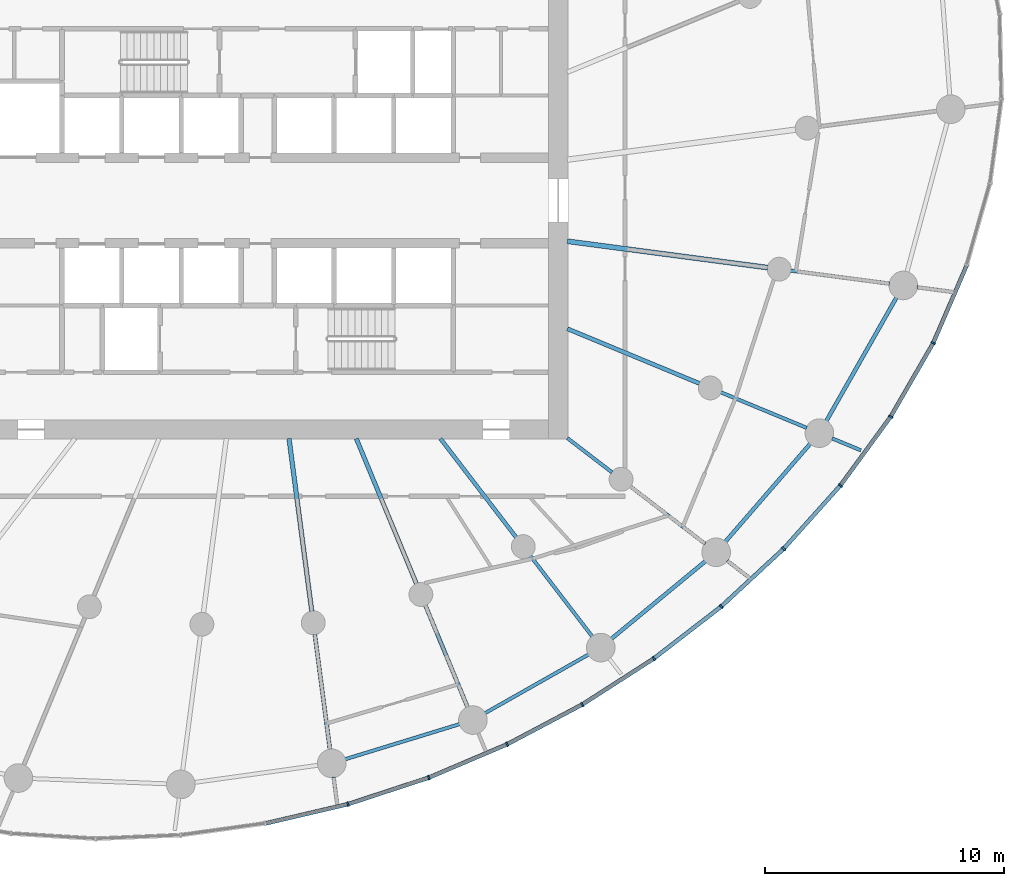
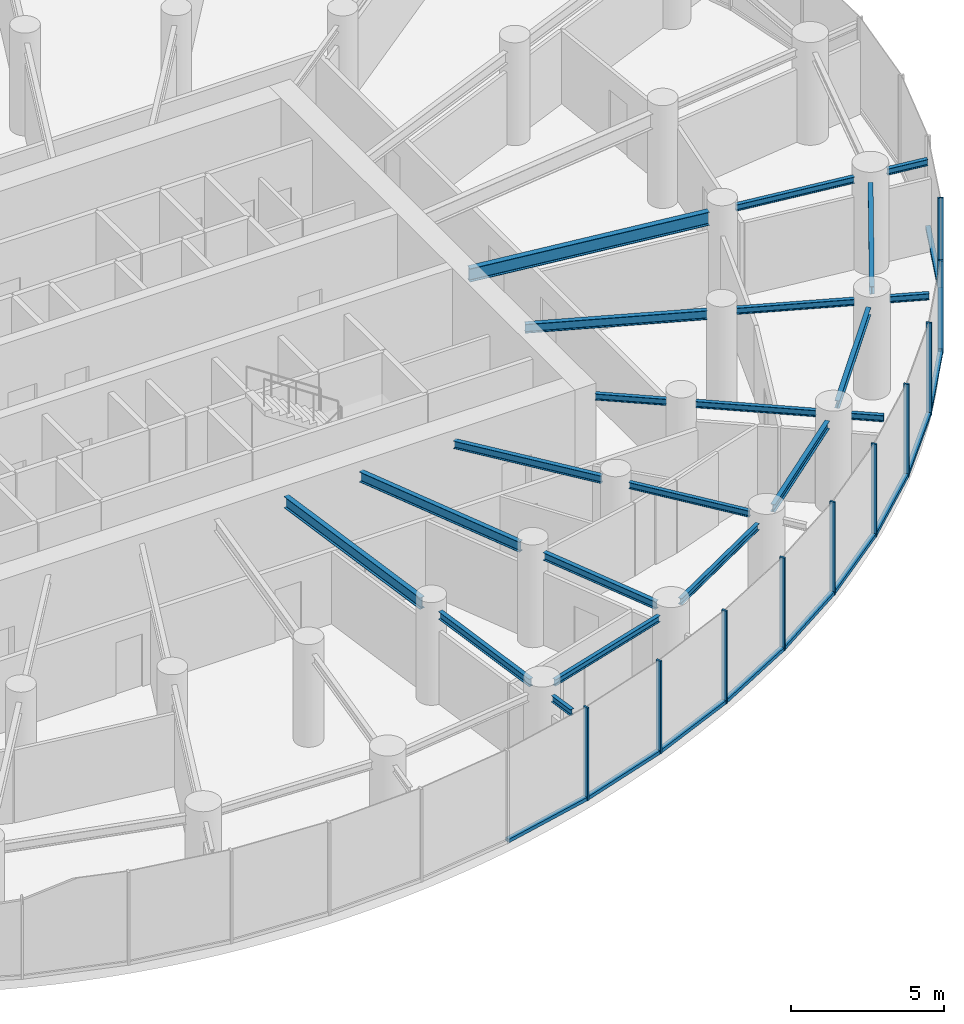
# One storey, part 4 of 17: 21 beams, 21 members, 3 elements without a shape of their own.
"""IFC4 building model written with IfcOpenShell, lengths in metres."""

from ifc_helpers import new_model, si_unit, direction, frame, origin, origin_2d, place, context, subcontext, project, spatial, rectangle, i_section, extrude, source, transform, mapped, material, layer, layer_set, material_profile, profile_set, type_object, element, aggregate, save


model = new_model("IFC4")

# Units and contexts
model_context = context("Model", 3, precision=1e-05, world=origin(), true_north=direction((0.0, 1.0)))
body_context = subcontext(model_context, "Body", "Model", "MODEL_VIEW")
ifc_project = project(units=[si_unit("LENGTHUNIT", "METRE"), si_unit("AREAUNIT", "SQUARE_METRE"), si_unit("VOLUMEUNIT", "CUBIC_METRE"), si_unit("PLANEANGLEUNIT", "RADIAN"), si_unit("MASSUNIT", "GRAM", prefix="KILO")], contexts=[model_context])

# Site, building, storey
site_placement = place(None, origin())
site = spatial("IfcSite", under=ifc_project, at=site_placement, CompositionType="ELEMENT")
building_placement = place(site_placement, origin())
building = spatial("IfcBuilding", under=site, at=building_placement, Name="Spindrift Exchange Tower", CompositionType="ELEMENT")
storey_placement = place(building_placement, frame((0.0, 0.0, 104.39990234375)))
storey = spatial("IfcBuildingStorey", under=building, at=storey_placement, Name="L24", CompositionType="ELEMENT", Elevation=104.39990234375)

# Beams
ifc_material_1 = material(Name="Steel Grade 300", Category="steel")
ifc_material_profile_1 = material_profile(ifc_material_1, i_section(OverallWidth=0.18994140625, OverallDepth=0.45703125, WebThickness=0.009033203125, FlangeThickness=0.014404296875, FilletRadius=0.013916015625, at=origin_2d()), Name="460UB74.6")
ifc_profile_set_1 = profile_set([ifc_material_profile_1], Name="Steel Grade 300")
beam_type_1 = type_object("IfcBeamType", Name="Floor Beam 460UB74.6 Steel Grade 300", PredefinedType="BEAM", material=ifc_profile_set_1)
shared_shape_1 = source(origin(), body_context, "Body", "SweptSolid", [
    extrude(i_section(OverallWidth=0.18994140625, OverallDepth=0.45703125, WebThickness=0.009033203125, FlangeThickness=0.014404296875, FilletRadius=0.013916015625, at=origin_2d()), origin(), (0.0, 0.0, 1.0), 7.3095703125),
])
beam_1_placement = place(storey_placement, frame((53.31396484375, 38.019775390625, 3.4716796875), z_axis=(0.130527087244, -0.991444743541, 0.0), x_axis=(0.991444743541, 0.130527087244, 0.0)))
element("IfcBeam", 1, at=beam_1_placement, inside=storey, type_object=beam_type_1, Name="L24 radial beam R19A", PredefinedType="BEAM", context=body_context, shape_type="MappedRepresentation", body=[
    mapped(shared_shape_1, transform((0.0, 0.0, 0.0), scale=1.0)),
])
ifc_material_profile_2 = material_profile(ifc_material_1, i_section(OverallWidth=0.177978515625, OverallDepth=0.406005859375, WebThickness=0.0078125, FlangeThickness=0.0126953125, FilletRadius=0.013916015625, at=origin_2d()), Name="410UB59.7")
ifc_profile_set_2 = profile_set([ifc_material_profile_2], Name="Steel Grade 300")
beam_type_2 = type_object("IfcBeamType", Name="Floor Beam 410UB59.7 Steel Grade 300", PredefinedType="BEAM", material=ifc_profile_set_2)
shared_shape_2 = source(origin(), body_context, "Body", "SweptSolid", [
    extrude(i_section(OverallWidth=0.177978515625, OverallDepth=0.406005859375, WebThickness=0.0078125, FlangeThickness=0.0126953125, FilletRadius=0.013916015625, at=origin_2d()), origin(), (0.0, 0.0, 1.0), 6.594482421875),
])
beam_2_placement = place(storey_placement, frame((56.134521484375, 38.0185546875, 3.4970703125), z_axis=(0.382692929746, -0.92387559851, 0.0), x_axis=(0.92387559851, 0.382692929746, 0.0)))
element("IfcBeam", 2, at=beam_2_placement, inside=storey, type_object=beam_type_2, Name="L24 radial beam R20A", PredefinedType="BEAM", context=body_context, shape_type="MappedRepresentation", body=[
    mapped(shared_shape_2, transform((0.0, 0.0, 0.0), scale=1.0)),
])
ifc_material_profile_3 = material_profile(ifc_material_1, i_section(OverallWidth=0.1650390625, OverallDepth=0.303955078125, WebThickness=0.006103515625, FlangeThickness=0.01025390625, FilletRadius=0.011474609375, at=origin_2d()), Name="310UB40.4")
ifc_profile_set_3 = profile_set([ifc_material_profile_3], Name="Steel Grade 300")
beam_type_3 = type_object("IfcBeamType", Name="Floor Beam 310UB40.4 Steel Grade 300", PredefinedType="BEAM", material=ifc_profile_set_3)
shared_shape_3 = source(origin(), body_context, "Body", "SweptSolid", [
    extrude(i_section(OverallWidth=0.1650390625, OverallDepth=0.303955078125, WebThickness=0.006103515625, FlangeThickness=0.01025390625, FilletRadius=0.011474609375, at=origin_2d()), origin(), (0.0, 0.0, 1.0), 5.224609375),
])
beam_3_placement = place(storey_placement, frame((59.6611328125, 38.015869140625, 3.548095703125), z_axis=(0.608741499316, -0.793368632485, 0.0), x_axis=(0.793368632485, 0.608741499316, 0.0)))
element("IfcBeam", 3, at=beam_3_placement, inside=storey, type_object=beam_type_3, Name="L24 radial beam R21A", PredefinedType="BEAM", context=body_context, shape_type="MappedRepresentation", body=[
    mapped(shared_shape_3, transform((0.0, 0.0, 0.0), scale=1.0)),
])
ifc_material_profile_4 = material_profile(ifc_material_1, i_section(OverallWidth=0.14599609375, OverallDepth=0.251953125, WebThickness=0.006103515625, FlangeThickness=0.008544921875, FilletRadius=0.011962890625, at=origin_2d()), Name="250UB31.4")
ifc_profile_set_4 = profile_set([ifc_material_profile_4], Name="Steel Grade 300")
beam_type_4 = type_object("IfcBeamType", Name="Floor Beam 250UB31.4 Steel Grade 300", PredefinedType="BEAM", material=ifc_profile_set_4)
shared_shape_4 = source(origin(), body_context, "Body", "SweptSolid", [
    extrude(i_section(OverallWidth=0.14599609375, OverallDepth=0.251953125, WebThickness=0.006103515625, FlangeThickness=0.008544921875, FilletRadius=0.011962890625, at=origin_2d()), origin(), (0.0, 0.0, 1.0), 2.353759765625),
])
beam_4_placement = place(storey_placement, frame((64.984130859375, 38.036865234375, 3.57421875), z_axis=(0.793367573265, -0.608742879787, 0.0), x_axis=(0.608742879787, 0.793367573265, 0.0)))
element("IfcBeam", 4, at=beam_4_placement, inside=storey, type_object=beam_type_4, Name="L24 radial beam R22A", PredefinedType="BEAM", context=body_context, shape_type="MappedRepresentation", body=[
    mapped(shared_shape_4, transform((0.0, 0.0, 0.0), scale=1.0)),
])
ifc_material_profile_5 = material_profile(ifc_material_1, i_section(OverallWidth=0.172119140625, OverallDepth=0.35888671875, WebThickness=0.008056640625, FlangeThickness=0.012939453125, FilletRadius=0.013916015625, at=origin_2d()), Name="360UB56.7")
ifc_profile_set_5 = profile_set([ifc_material_profile_5], Name="Steel Grade 300")
beam_type_5 = type_object("IfcBeamType", Name="Floor Beam 360UB56.7 Steel Grade 300", PredefinedType="BEAM", material=ifc_profile_set_5)
shared_shape_5 = source(origin(), body_context, "Body", "SweptSolid", [
    extrude(i_section(OverallWidth=0.172119140625, OverallDepth=0.35888671875, WebThickness=0.008056640625, FlangeThickness=0.012939453125, FilletRadius=0.013916015625, at=origin_2d()), origin(), (0.0, 0.0, 1.0), 6.004638671875),
])
beam_5_placement = place(storey_placement, frame((64.9814453125, 42.622802734375, 3.5205078125), z_axis=(0.923882044911, -0.38267736684, 0.0), x_axis=(0.38267736684, 0.923882044911, 0.0)))
element("IfcBeam", 5, at=beam_5_placement, inside=storey, type_object=beam_type_5, Name="L24 radial beam R23A", PredefinedType="BEAM", context=body_context, shape_type="MappedRepresentation", body=[
    mapped(shared_shape_5, transform((0.0, 0.0, 0.0), scale=1.0)),
])
ifc_material_profile_6 = material_profile(ifc_material_1, i_section(OverallWidth=0.208984375, OverallDepth=0.532958984375, WebThickness=0.01025390625, FlangeThickness=0.015625, FilletRadius=0.013916015625, at=origin_2d()), Name="530UB92.4")
ifc_profile_set_6 = profile_set([ifc_material_profile_6], Name="Steel Grade 300")
beam_type_6 = type_object("IfcBeamType", Name="Floor Beam 530UB92.4 Steel Grade 300", PredefinedType="BEAM", material=ifc_profile_set_6)
shared_shape_6 = source(origin(), body_context, "Body", "SweptSolid", [
    extrude(i_section(OverallWidth=0.208984375, OverallDepth=0.532958984375, WebThickness=0.01025390625, FlangeThickness=0.015625, FilletRadius=0.013916015625, at=origin_2d()), origin(), (0.0, 0.0, 1.0), 8.4794921875),
])
beam_6_placement = place(storey_placement, frame((64.980224609375, 46.291015625, 3.43359375), z_axis=(0.991446551951, -0.13051335037, 0.0), x_axis=(0.13051335037, 0.991446551951, 0.0)))
element("IfcBeam", 6, at=beam_6_placement, inside=storey, type_object=beam_type_6, Name="L24 radial beam R24A", PredefinedType="BEAM", context=body_context, shape_type="MappedRepresentation", body=[
    mapped(shared_shape_6, transform((0.0, 0.0, 0.0), scale=1.0)),
])
shared_shape_7 = source(origin(), body_context, "Body", "SweptSolid", [
    extrude(i_section(OverallWidth=0.1650390625, OverallDepth=0.303955078125, WebThickness=0.006103515625, FlangeThickness=0.01025390625, FilletRadius=0.011474609375, at=origin_2d()), origin(), (0.0, 0.0, 1.0), 4.883056640625),
])
beam_7_placement = place(storey_placement, frame((54.393310546875, 29.82080078125, 3.548095703125), z_axis=(0.130542457964, -0.991442719812, 0.0), x_axis=(0.991442719812, 0.130542457964, 0.0)))
element("IfcBeam", 7, at=beam_7_placement, inside=storey, type_object=beam_type_3, Name="L24 radial beam R19B", PredefinedType="BEAM", context=body_context, shape_type="MappedRepresentation", body=[
    mapped(shared_shape_7, transform((0.0, 0.0, 0.0), scale=1.0)),
])
shared_shape_8 = source(origin(), body_context, "Body", "SweptSolid", [
    extrude(i_section(OverallWidth=0.1650390625, OverallDepth=0.303955078125, WebThickness=0.006103515625, FlangeThickness=0.01025390625, FilletRadius=0.011474609375, at=origin_2d()), origin(), (0.0, 0.0, 1.0), 4.63671875),
])
beam_8_placement = place(storey_placement, frame((59.025390625, 31.0390625, 3.548095703125), z_axis=(0.382692818086, -0.923875644763, 0.0), x_axis=(0.923875644763, 0.382692818086, 0.0)))
element("IfcBeam", 8, at=beam_8_placement, inside=storey, type_object=beam_type_3, Name="L24 radial beam R20B", PredefinedType="BEAM", context=body_context, shape_type="MappedRepresentation", body=[
    mapped(shared_shape_8, transform((0.0, 0.0, 0.0), scale=1.0)),
])
shared_shape_9 = source(origin(), body_context, "Body", "SweptSolid", [
    extrude(i_section(OverallWidth=0.14599609375, OverallDepth=0.251953125, WebThickness=0.006103515625, FlangeThickness=0.008544921875, FilletRadius=0.011962890625, at=origin_2d()), origin(), (0.0, 0.0, 1.0), 4.27587890625),
])
beam_9_placement = place(storey_placement, frame((63.426025390625, 33.109375, 3.57421875), z_axis=(0.608725184746, -0.793381150177, 0.0), x_axis=(0.793381150177, 0.608725184746, 0.0)))
element("IfcBeam", 9, at=beam_9_placement, inside=storey, type_object=beam_type_4, Name="L24 radial beam R21B", PredefinedType="BEAM", context=body_context, shape_type="MappedRepresentation", body=[
    mapped(shared_shape_9, transform((0.0, 0.0, 0.0), scale=1.0)),
])
shared_shape_10 = source(origin(), body_context, "Body", "SweptSolid", [
    extrude(i_section(OverallWidth=0.14599609375, OverallDepth=0.251953125, WebThickness=0.006103515625, FlangeThickness=0.008544921875, FilletRadius=0.011962890625, at=origin_2d()), origin(), (0.0, 0.0, 1.0), 3.966064453125),
])
beam_10_placement = place(storey_placement, frame((67.61328125, 36.01953125, 3.57421875), z_axis=(0.79336256318, -0.608749409318, 0.0), x_axis=(0.608749409318, 0.79336256318, 0.0)))
element("IfcBeam", 10, at=beam_10_placement, inside=storey, type_object=beam_type_4, Name="L24 radial beam R22B", PredefinedType="BEAM", context=body_context, shape_type="MappedRepresentation", body=[
    mapped(shared_shape_10, transform((0.0, 0.0, 0.0), scale=1.0)),
])
shared_shape_11 = source(origin(), body_context, "Body", "SweptSolid", [
    extrude(i_section(OverallWidth=0.14599609375, OverallDepth=0.251953125, WebThickness=0.006103515625, FlangeThickness=0.008544921875, FilletRadius=0.011962890625, at=origin_2d()), origin(), (0.0, 0.0, 1.0), 3.892333984375),
])
beam_11_placement = place(storey_placement, frame((71.416015625, 39.95751953125, 3.57421875), z_axis=(0.923878458273, -0.382686025794, 0.0), x_axis=(0.382686025794, 0.923878458273, 0.0)))
element("IfcBeam", 11, at=beam_11_placement, inside=storey, type_object=beam_type_4, Name="L24 radial beam R23B", PredefinedType="BEAM", context=body_context, shape_type="MappedRepresentation", body=[
    mapped(shared_shape_11, transform((0.0, 0.0, 0.0), scale=1.0)),
])
shared_shape_12 = source(origin(), body_context, "Body", "SweptSolid", [
    extrude(i_section(OverallWidth=0.14599609375, OverallDepth=0.251953125, WebThickness=0.006103515625, FlangeThickness=0.008544921875, FilletRadius=0.011962890625, at=origin_2d()), origin(), (0.0, 0.0, 1.0), 4.186279296875),
])
beam_12_placement = place(storey_placement, frame((74.339111328125, 45.05908203125, 3.57421875), z_axis=(0.991445559167, -0.130520891848, 0.0), x_axis=(0.130520891848, 0.991445559167, 0.0)))
element("IfcBeam", 12, at=beam_12_placement, inside=storey, type_object=beam_type_4, Name="L24 radial beam R24B", PredefinedType="BEAM", context=body_context, shape_type="MappedRepresentation", body=[
    mapped(shared_shape_12, transform((0.0, 0.0, 0.0), scale=1.0)),
])
ifc_material_profile_7 = material_profile(ifc_material_1, i_section(OverallWidth=0.14599609375, OverallDepth=0.251953125, WebThickness=0.006103515625, FlangeThickness=0.008544921875, FilletRadius=0.011962890625, at=origin_2d()), Name="250UB31.4")
ifc_profile_set_7 = profile_set([ifc_material_profile_7], Name="Steel Grade 300")
beam_type_7 = type_object("IfcBeamType", Name="Edge Beam 250UB31.4 Steel Grade 300", PredefinedType="SPANDREL", material=ifc_profile_set_7)
shared_shape_13 = source(origin(), body_context, "Body", "SweptSolid", [
    extrude(i_section(OverallWidth=0.14599609375, OverallDepth=0.251953125, WebThickness=0.006103515625, FlangeThickness=0.008544921875, FilletRadius=0.011962890625, at=origin_2d()), origin(), (0.0, 0.0, 1.0), 5.027587890625),
])
beam_13_placement = place(storey_placement, frame((55.660888671875, 24.57470703125, 3.57421875), z_axis=(0.956018084082, 0.293307727325, 0.0), x_axis=(-0.293307727325, 0.956018084082, 0.0)))
element("IfcBeam", 13, at=beam_13_placement, inside=storey, type_object=beam_type_7, Name="L24 edge beam E19", PredefinedType="SPANDREL", context=body_context, shape_type="MappedRepresentation", body=[
    mapped(shared_shape_13, transform((0.0, 0.0, 0.0), scale=1.0)),
])
shared_shape_14 = source(origin(), body_context, "Body", "SweptSolid", [
    extrude(i_section(OverallWidth=0.14599609375, OverallDepth=0.251953125, WebThickness=0.006103515625, FlangeThickness=0.008544921875, FilletRadius=0.011962890625, at=origin_2d()), origin(), (0.0, 0.0, 1.0), 5.0009765625),
])
beam_14_placement = place(storey_placement, frame((61.5263671875, 26.505615234375, 3.57421875), z_axis=(0.870045916697, 0.492970691663, 0.0), x_axis=(-0.492970691663, 0.870045916697, 0.0)))
element("IfcBeam", 14, at=beam_14_placement, inside=storey, type_object=beam_type_7, Name="L24 edge beam E20", PredefinedType="SPANDREL", context=body_context, shape_type="MappedRepresentation", body=[
    mapped(shared_shape_14, transform((0.0, 0.0, 0.0), scale=1.0)),
])
ifc_material_profile_8 = material_profile(ifc_material_1, i_section(OverallWidth=0.1650390625, OverallDepth=0.303955078125, WebThickness=0.006103515625, FlangeThickness=0.01025390625, FilletRadius=0.011474609375, at=origin_2d()), Name="310UB40.4")
ifc_profile_set_8 = profile_set([ifc_material_profile_8], Name="Steel Grade 300")
beam_type_8 = type_object("IfcBeamType", Name="Edge Beam 310UB40.4 Steel Grade 300", PredefinedType="SPANDREL", material=ifc_profile_set_8)
shared_shape_15 = source(origin(), body_context, "Body", "SweptSolid", [
    extrude(i_section(OverallWidth=0.1650390625, OverallDepth=0.303955078125, WebThickness=0.006103515625, FlangeThickness=0.01025390625, FilletRadius=0.011474609375, at=origin_2d()), origin(), (0.0, 0.0, 1.0), 5.114501953125),
])
beam_15_placement = place(storey_placement, frame((66.8291015625, 29.626220703125, 3.548095703125), z_axis=(0.771073837992, 0.63674573918, 0.0), x_axis=(-0.63674573918, 0.771073837992, 0.0)))
element("IfcBeam", 15, at=beam_15_placement, inside=storey, type_object=beam_type_8, Name="L24 edge beam E21", PredefinedType="SPANDREL", context=body_context, shape_type="MappedRepresentation", body=[
    mapped(shared_shape_15, transform((0.0, 0.0, 0.0), scale=1.0)),
])
shared_shape_16 = source(origin(), body_context, "Body", "SweptSolid", [
    extrude(i_section(OverallWidth=0.1650390625, OverallDepth=0.303955078125, WebThickness=0.006103515625, FlangeThickness=0.01025390625, FilletRadius=0.011474609375, at=origin_2d()), origin(), (0.0, 0.0, 1.0), 5.448486328125),
])
beam_16_placement = place(storey_placement, frame((71.599609375, 33.6904296875, 3.548095703125), z_axis=(0.654922008827, 0.755696475018, 0.0), x_axis=(-0.755696475018, 0.654922008827, 0.0)))
element("IfcBeam", 16, at=beam_16_placement, inside=storey, type_object=beam_type_8, Name="L24 edge beam E22", PredefinedType="SPANDREL", context=body_context, shape_type="MappedRepresentation", body=[
    mapped(shared_shape_16, transform((0.0, 0.0, 0.0), scale=1.0)),
])
shared_shape_17 = source(origin(), body_context, "Body", "SweptSolid", [
    extrude(i_section(OverallWidth=0.1650390625, OverallDepth=0.303955078125, WebThickness=0.006103515625, FlangeThickness=0.01025390625, FilletRadius=0.011474609375, at=origin_2d()), origin(), (0.0, 0.0, 1.0), 5.9599609375),
])
beam_17_placement = place(storey_placement, frame((75.834228515625, 38.75048828125, 3.548095703125), z_axis=(0.493940434745, 0.869495742901, 0.0), x_axis=(-0.869495742901, 0.493940434745, 0.0)))
element("IfcBeam", 17, at=beam_17_placement, inside=storey, type_object=beam_type_8, Name="L24 edge beam E23", PredefinedType="SPANDREL", context=body_context, shape_type="MappedRepresentation", body=[
    mapped(shared_shape_17, transform((0.0, 0.0, 0.0), scale=1.0)),
])
ifc_material_profile_9 = material_profile(ifc_material_1, i_section(OverallWidth=0.14599609375, OverallDepth=0.251953125, WebThickness=0.006103515625, FlangeThickness=0.008544921875, FilletRadius=0.011962890625, at=origin_2d()), Name="250UB31.4")
ifc_profile_set_9 = profile_set([ifc_material_profile_9], Name="Steel Grade 300")
beam_type_9 = type_object("IfcBeamType", Name="Cantilever Beam 250UB31.4 Steel Grade 300", PredefinedType="BEAM", material=ifc_profile_set_9)
shared_shape_18 = source(origin(), body_context, "Body", "SweptSolid", [
    extrude(i_section(OverallWidth=0.14599609375, OverallDepth=0.251953125, WebThickness=0.006103515625, FlangeThickness=0.008544921875, FilletRadius=0.011962890625, at=origin_2d()), origin(), (0.0, 0.0, 1.0), 1.036865234375),
])
beam_18_placement = place(storey_placement, frame((55.18212890625, 23.82958984375, 3.57421875), z_axis=(0.13043624116, -0.991456699504, 0.0), x_axis=(0.991456699504, 0.13043624116, 0.0)))
element("IfcBeam", 18, at=beam_18_placement, inside=storey, type_object=beam_type_9, Name="L24 cantilever beam R19T", PredefinedType="BEAM", context=body_context, shape_type="MappedRepresentation", body=[
    mapped(shared_shape_18, transform((0.0, 0.0, 0.0), scale=1.0)),
])
shared_shape_19 = source(origin(), body_context, "Body", "SweptSolid", [
    extrude(i_section(OverallWidth=0.14599609375, OverallDepth=0.251953125, WebThickness=0.006103515625, FlangeThickness=0.008544921875, FilletRadius=0.011962890625, at=origin_2d()), origin(), (0.0, 0.0, 1.0), 1.070556640625),
])
beam_19_placement = place(storey_placement, frame((71.679931640625, 32.89892578125, 3.57421875), z_axis=(0.793411777687, -0.608685264342, 0.0), x_axis=(0.608685264342, 0.793411777687, 0.0)))
element("IfcBeam", 19, at=beam_19_placement, inside=storey, type_object=beam_type_9, Name="L24 cantilever beam R22T", PredefinedType="BEAM", context=body_context, shape_type="MappedRepresentation", body=[
    mapped(shared_shape_19, transform((0.0, 0.0, 0.0), scale=1.0)),
])
shared_shape_20 = source(origin(), body_context, "Body", "SweptSolid", [
    extrude(i_section(OverallWidth=0.14599609375, OverallDepth=0.251953125, WebThickness=0.006103515625, FlangeThickness=0.008544921875, FilletRadius=0.011962890625, at=origin_2d()), origin(), (0.0, 0.0, 1.0), 1.301025390625),
])
beam_20_placement = place(storey_placement, frame((76.08349609375, 38.024169921875, 3.57421875), z_axis=(0.923891035164, -0.382655661324, 0.0), x_axis=(0.382655661324, 0.923891035164, 0.0)))
element("IfcBeam", 20, at=beam_20_placement, inside=storey, type_object=beam_type_9, Name="L24 cantilever beam R23T", PredefinedType="BEAM", context=body_context, shape_type="MappedRepresentation", body=[
    mapped(shared_shape_20, transform((0.0, 0.0, 0.0), scale=1.0)),
])
shared_shape_21 = source(origin(), body_context, "Body", "SweptSolid", [
    extrude(i_section(OverallWidth=0.14599609375, OverallDepth=0.251953125, WebThickness=0.006103515625, FlangeThickness=0.008544921875, FilletRadius=0.011962890625, at=origin_2d()), origin(), (0.0, 0.0, 1.0), 1.431884765625),
])
beam_21_placement = place(storey_placement, frame((79.639404296875, 44.361083984375, 3.57421875), z_axis=(0.99145719693, -0.130432460129, 0.0), x_axis=(0.130432460129, 0.99145719693, 0.0)))
element("IfcBeam", 21, at=beam_21_placement, inside=storey, type_object=beam_type_9, Name="L24 cantilever beam R24T", PredefinedType="BEAM", context=body_context, shape_type="MappedRepresentation", body=[
    mapped(shared_shape_21, transform((0.0, 0.0, 0.0), scale=1.0)),
])

# Curtain wall, member
ifc_material_2 = material(Name="Fritted laminated glass with bronze frame", Category="glass")
ifc_layer = layer(ifc_material_2, 0.18994140625)
ifc_layer_set = layer_set([ifc_layer], Name="ZONE 2 BRONZE FRITTED WALL")
curtain_wall_type = type_object("IfcCurtainWallType", Name="ZONE 2 BRONZE FRITTED WALL", PredefinedType="NOTDEFINED", material=ifc_layer_set)
curtain_wall_1_placement = place(storey_placement, origin())
curtain_wall_1 = element("IfcCurtainWall", 22, at=curtain_wall_1_placement, inside=storey, type_object=curtain_wall_type, Name="L24 Zone 2 Bronze Fritted Wall run 8", PredefinedType="NOTDEFINED")
ifc_material_3 = material(Name="Bronze anodised aluminium", Category="aluminium")
ifc_material_profile_10 = material_profile(ifc_material_3, rectangle(XDim=0.169921875, YDim=0.139892578125, at=origin_2d()), Name="ZONE 2 BRONZE FRITTED WALL TRANSOM 170X140")
ifc_profile_set_10 = profile_set([ifc_material_profile_10], Name="Bronze anodised aluminium")
member_type_1 = type_object("IfcMemberType", Name="ZONE 2 BRONZE FRITTED WALL TRANSOM 170X140", PredefinedType="USERDEFINED", material=ifc_profile_set_10)
shared_shape_22 = source(origin(), body_context, "Body", "SweptSolid", [
    extrude(rectangle(XDim=0.169921875, YDim=0.139892578125, at=origin_2d()), origin(), (0.0, 0.0, 1.0), 3.4912109375),
])
member_1_placement = place(storey_placement, frame((76.4521484375, 36.086669921875, 0.070068359375), z_axis=(0.590153342133, 0.807291169758, 0.0), x_axis=(-0.807291169758, 0.590153342133, 0.0)))
member_1 = element("IfcMember", 23, at=member_1_placement, type_object=member_type_1, Name="L24 transom CW-2.44", ObjectType="TRANSOM", PredefinedType="USERDEFINED", context=body_context, shape_type="MappedRepresentation", body=[
    mapped(shared_shape_22, transform((0.0, 0.0, 0.0), scale=1.0)),
])

curtain_wall_2_placement = place(storey_placement, origin())
curtain_wall_2 = element("IfcCurtainWall", 24, at=curtain_wall_2_placement, inside=storey, type_object=curtain_wall_type, Name="L24 Zone 2 Bronze Fritted Wall run 6", PredefinedType="NOTDEFINED")
shared_shape_23 = source(origin(), body_context, "Body", "SweptSolid", [
    extrude(rectangle(XDim=0.169921875, YDim=0.139892578125, at=origin_2d()), origin(), (0.0, 0.0, 1.0), 3.49169921875),
])
member_2_placement = place(storey_placement, frame((52.3486328125, 21.890625, 0.070068359375), z_axis=(0.973773604532, 0.22751915769, 0.0), x_axis=(-0.22751915769, 0.973773604532, 0.0)))
member_2 = element("IfcMember", 25, at=member_2_placement, type_object=member_type_1, Name="L24 transom CW-2.36", ObjectType="TRANSOM", PredefinedType="USERDEFINED", context=body_context, shape_type="MappedRepresentation", body=[
    mapped(shared_shape_23, transform((0.0, 0.0, 0.0), scale=1.0)),
])
aggregate(curtain_wall_2, [member_2])

# Curtain wall, members
curtain_wall_3_placement = place(storey_placement, origin())
curtain_wall_3 = element("IfcCurtainWall", 26, at=curtain_wall_3_placement, inside=storey, type_object=curtain_wall_type, Name="L24 Zone 2 Bronze Fritted Wall run 7", PredefinedType="NOTDEFINED")
member_3_placement = place(storey_placement, frame((55.82080078125, 22.705078125, 0.070068359375), z_axis=(0.950155198587, 0.311777322136, 0.0), x_axis=(-0.311777322136, 0.950155198587, 0.0)))
member_3 = element("IfcMember", 27, at=member_3_placement, type_object=member_type_1, Name="L24 transom CW-2.37", ObjectType="TRANSOM", PredefinedType="USERDEFINED", context=body_context, shape_type="MappedRepresentation", body=[
    mapped(shared_shape_23, transform((0.0, 0.0, 0.0), scale=1.0)),
])
member_4_placement = place(storey_placement, frame((59.20849609375, 23.820068359375, 0.070068359375), z_axis=(0.920154635629, 0.391555164097, 0.0), x_axis=(-0.391555164097, 0.920154635629, 0.0)))
member_4 = element("IfcMember", 28, at=member_4_placement, type_object=member_type_1, Name="L24 transom CW-2.38", ObjectType="TRANSOM", PredefinedType="USERDEFINED", context=body_context, shape_type="MappedRepresentation", body=[
    mapped(shared_shape_23, transform((0.0, 0.0, 0.0), scale=1.0)),
])
member_5_placement = place(storey_placement, frame((65.64013671875, 26.89013671875, 0.070068359375), z_axis=(0.841185290437, 0.540746989962, 0.0), x_axis=(-0.540746989962, 0.841185290437, 0.0)))
member_5 = element("IfcMember", 29, at=member_5_placement, type_object=member_type_1, Name="L24 transom CW-2.40", ObjectType="TRANSOM", PredefinedType="USERDEFINED", context=body_context, shape_type="MappedRepresentation", body=[
    mapped(shared_shape_23, transform((0.0, 0.0, 0.0), scale=1.0)),
])

# Member
shared_shape_24 = source(origin(), body_context, "Body", "SweptSolid", [
    extrude(rectangle(XDim=0.169921875, YDim=0.139892578125, at=origin_2d()), origin(), (0.0, 0.0, 1.0), 3.49072265625),
])
member_6_placement = place(storey_placement, frame((78.553466796875, 38.9677734375, 0.070068359375), z_axis=(0.500335856762, 0.86583140994, 0.0), x_axis=(-0.86583140994, 0.500335856762, 0.0)))
member_6 = element("IfcMember", 30, at=member_6_placement, type_object=member_type_1, Name="L24 transom CW-2.45", ObjectType="TRANSOM", PredefinedType="USERDEFINED", context=body_context, shape_type="MappedRepresentation", body=[
    mapped(shared_shape_24, transform((0.0, 0.0, 0.0), scale=1.0)),
])

shared_shape_25 = source(origin(), body_context, "Body", "SweptSolid", [
    extrude(rectangle(XDim=0.169921875, YDim=0.139892578125, at=origin_2d()), origin(), (0.0, 0.0, 1.0), 3.491455078125),
])
member_7_placement = place(storey_placement, frame((62.4892578125, 25.219482421875, 0.070068359375), z_axis=(0.883912047963, 0.467653174336, 0.0), x_axis=(-0.467653174336, 0.883912047963, 0.0)))
member_7 = element("IfcMember", 31, at=member_7_placement, type_object=member_type_1, Name="L24 transom CW-2.39", ObjectType="TRANSOM", PredefinedType="USERDEFINED", context=body_context, shape_type="MappedRepresentation", body=[
    mapped(shared_shape_25, transform((0.0, 0.0, 0.0), scale=1.0)),
])

member_8_placement = place(storey_placement, frame((68.638671875, 28.821533203125, 0.070068359375), z_axis=(0.791530980265, 0.611129043067, 0.0), x_axis=(-0.611129043067, 0.791530980265, 0.0)))
member_8 = element("IfcMember", 32, at=member_8_placement, type_object=member_type_1, Name="L24 transom CW-2.41", ObjectType="TRANSOM", PredefinedType="USERDEFINED", context=body_context, shape_type="MappedRepresentation", body=[
    mapped(shared_shape_25, transform((0.0, 0.0, 0.0), scale=1.0)),
])

member_9_placement = place(storey_placement, frame((71.45947265625, 31.003662109375, 0.070068359375), z_axis=(0.733985276833, 0.679165380002, 0.0), x_axis=(-0.679165380002, 0.733985276833, 0.0)))
member_9 = element("IfcMember", 33, at=member_9_placement, type_object=member_type_1, Name="L24 transom CW-2.42", ObjectType="TRANSOM", PredefinedType="USERDEFINED", context=body_context, shape_type="MappedRepresentation", body=[
    mapped(shared_shape_25, transform((0.0, 0.0, 0.0), scale=1.0)),
])

member_10_placement = place(storey_placement, frame((74.07470703125, 33.42822265625, 0.070068359375), z_axis=(0.667418019408, 0.744683279905, 0.0), x_axis=(-0.744683279905, 0.667418019408, 0.0)))
member_10 = element("IfcMember", 34, at=member_10_placement, type_object=member_type_1, Name="L24 transom CW-2.43", ObjectType="TRANSOM", PredefinedType="USERDEFINED", context=body_context, shape_type="MappedRepresentation", body=[
    mapped(shared_shape_25, transform((0.0, 0.0, 0.0), scale=1.0)),
])

ifc_material_profile_11 = material_profile(ifc_material_3, rectangle(XDim=0.074951171875, YDim=0.18994140625, at=origin_2d()), Name="ZONE 2 BRONZE FRITTED WALL MULLION 75X190")
ifc_profile_set_11 = profile_set([ifc_material_profile_11], Name="Bronze anodised aluminium")
member_type_2 = type_object("IfcMemberType", Name="ZONE 2 BRONZE FRITTED WALL MULLION 75X190", PredefinedType="MULLION", material=ifc_profile_set_11)
shared_shape_26 = source(origin(), body_context, "Body", "SweptSolid", [
    extrude(rectangle(XDim=0.074951171875, YDim=0.18994140625, at=origin_2d()), origin(), (0.0, 0.0, 1.0), 3.7001953125),
])
member_11_placement = place(storey_placement, frame((55.78515625, 22.693603515625, 0.0), z_axis=(0.0, 0.0, 1.0), x_axis=(0.962888799454, 0.269898425126, 0.0)))
member_11 = element("IfcMember", 35, at=member_11_placement, type_object=member_type_2, Name="L24 mullion CW-2.37", PredefinedType="MULLION", context=body_context, shape_type="MappedRepresentation", body=[
    mapped(shared_shape_26, transform((0.0, 0.0, 0.0), scale=1.0)),
])

member_12_placement = place(storey_placement, frame((59.174072265625, 23.805419921875, 0.0), z_axis=(0.0, 0.0, 1.0), x_axis=(0.936012835438, 0.351965867514, 0.0)))
member_12 = element("IfcMember", 36, at=member_12_placement, type_object=member_type_2, Name="L24 mullion CW-2.38", PredefinedType="MULLION", context=body_context, shape_type="MappedRepresentation", body=[
    mapped(shared_shape_26, transform((0.0, 0.0, 0.0), scale=1.0)),
])

member_13_placement = place(storey_placement, frame((62.4560546875, 25.201904296875, 0.0), z_axis=(0.0, 0.0, 1.0), x_axis=(0.902835889517, 0.42998529812, 0.0)))
member_13 = element("IfcMember", 37, at=member_13_placement, type_object=member_type_2, Name="L24 mullion CW-2.39", PredefinedType="MULLION", context=body_context, shape_type="MappedRepresentation", body=[
    mapped(shared_shape_26, transform((0.0, 0.0, 0.0), scale=1.0)),
])

member_14_placement = place(storey_placement, frame((65.608642578125, 26.869873046875, 0.0), z_axis=(0.0, 0.0, 1.0), x_axis=(0.863326215826, 0.504646257359, 0.0)))
member_14 = element("IfcMember", 38, at=member_14_placement, type_object=member_type_2, Name="L24 mullion CW-2.40", PredefinedType="MULLION", context=body_context, shape_type="MappedRepresentation", body=[
    mapped(shared_shape_26, transform((0.0, 0.0, 0.0), scale=1.0)),
])

member_15_placement = place(storey_placement, frame((68.60888671875, 28.798583984375, 0.0), z_axis=(0.0, 0.0, 1.0), x_axis=(0.817122062542, 0.576464686609, 0.0)))
member_15 = element("IfcMember", 39, at=member_15_placement, type_object=member_type_2, Name="L24 mullion CW-2.41", PredefinedType="MULLION", context=body_context, shape_type="MappedRepresentation", body=[
    mapped(shared_shape_26, transform((0.0, 0.0, 0.0), scale=1.0)),
])

member_16_placement = place(storey_placement, frame((71.431884765625, 30.978271484375, 0.0), z_axis=(0.0, 0.0, 1.0), x_axis=(0.76351980724, 0.645784409809, 0.0)))
member_16 = element("IfcMember", 40, at=member_16_placement, type_object=member_type_2, Name="L24 mullion CW-2.42", PredefinedType="MULLION", context=body_context, shape_type="MappedRepresentation", body=[
    mapped(shared_shape_26, transform((0.0, 0.0, 0.0), scale=1.0)),
])

aggregate(curtain_wall_3, [member_11, member_3, member_12, member_4, member_13, member_7, member_14, member_5, member_15, member_8, member_16, member_9])

member_17_placement = place(storey_placement, frame((74.0498046875, 33.400390625, 0.0), z_axis=(0.0, 0.0, 1.0), x_axis=(0.70146296243, 0.71270590873, 0.0)))
member_17 = element("IfcMember", 41, at=member_17_placement, type_object=member_type_2, Name="L24 mullion CW-2.43", PredefinedType="MULLION", context=body_context, shape_type="MappedRepresentation", body=[
    mapped(shared_shape_26, transform((0.0, 0.0, 0.0), scale=1.0)),
])

member_18_placement = place(storey_placement, frame((76.429931640625, 36.056396484375, 0.0), z_axis=(0.0, 0.0, 1.0), x_axis=(0.629557039363, 0.776954267759, 0.0)))
member_18 = element("IfcMember", 42, at=member_18_placement, type_object=member_type_2, Name="L24 mullion CW-2.44", PredefinedType="MULLION", context=body_context, shape_type="MappedRepresentation", body=[
    mapped(shared_shape_26, transform((0.0, 0.0, 0.0), scale=1.0)),
])

member_19_placement = place(storey_placement, frame((78.53466796875, 38.935302734375, 0.0), z_axis=(0.0, 0.0, 1.0), x_axis=(0.54603266893, 0.837763883479, 0.0)))
member_19 = element("IfcMember", 43, at=member_19_placement, type_object=member_type_2, Name="L24 mullion CW-2.45", PredefinedType="MULLION", context=body_context, shape_type="MappedRepresentation", body=[
    mapped(shared_shape_26, transform((0.0, 0.0, 0.0), scale=1.0)),
])

member_20_placement = place(storey_placement, frame((80.318603515625, 42.022705078125, 0.0), z_axis=(0.0, 0.0, 1.0), x_axis=(0.448817597676, 0.893623390482, 0.0)))
member_20 = element("IfcMember", 44, at=member_20_placement, type_object=member_type_2, Name="L24 mullion CW-2.46", PredefinedType="MULLION", context=body_context, shape_type="MappedRepresentation", body=[
    mapped(shared_shape_26, transform((0.0, 0.0, 0.0), scale=1.0)),
])

shared_shape_27 = source(origin(), body_context, "Body", "SweptSolid", [
    extrude(rectangle(XDim=0.169921875, YDim=0.139892578125, at=origin_2d()), origin(), (0.0, 0.0, 1.0), 3.490234375),
])
member_21_placement = place(storey_placement, frame((80.33349609375, 42.05712890625, 0.070068359375), z_axis=(0.395767306815, 0.918350825587, 0.0), x_axis=(-0.918350825587, 0.395767306815, 0.0)))
member_21 = element("IfcMember", 45, at=member_21_placement, type_object=member_type_1, Name="L24 transom CW-2.46", ObjectType="TRANSOM", PredefinedType="USERDEFINED", context=body_context, shape_type="MappedRepresentation", body=[
    mapped(shared_shape_27, transform((0.0, 0.0, 0.0), scale=1.0)),
])

aggregate(curtain_wall_1, [member_17, member_10, member_18, member_1, member_19, member_6, member_20, member_21])

save(model, "model.ifc")
